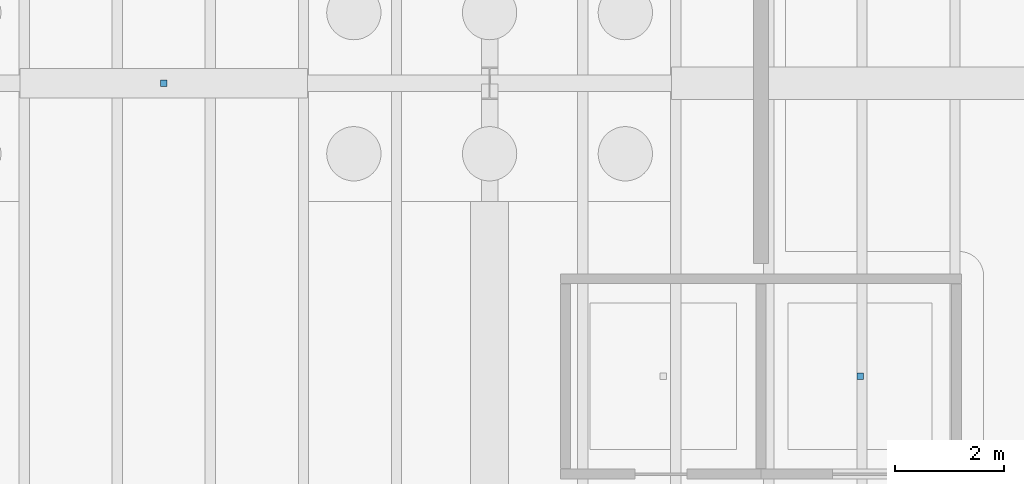
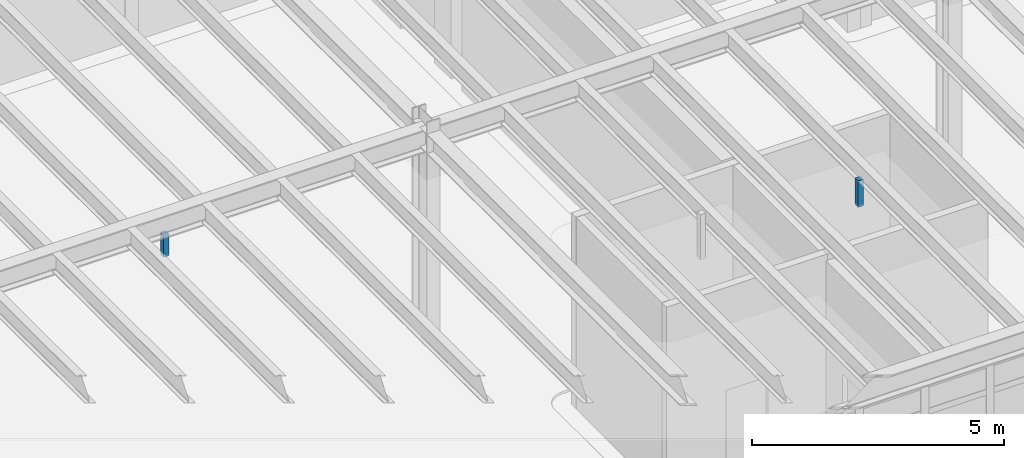
# One storey, part 49 of 67: 2 discrete accessories.
"""IFC4 building model written with IfcOpenShell, lengths in metres."""

from ifc_helpers import new_model, si_unit, direction, frame, origin, origin_2d, place, context, subcontext, project, spatial, rectangle, extrude, material, type_object, element, save


model = new_model("IFC4")

# Units and contexts
model_context = context("Model", 3, precision=1e-05, world=origin(), true_north=direction((0.0, 1.0)))
body_context = subcontext(model_context, "Body", "Model", "MODEL_VIEW")
ifc_project = project(units=[si_unit("LENGTHUNIT", "METRE"), si_unit("AREAUNIT", "SQUARE_METRE"), si_unit("VOLUMEUNIT", "CUBIC_METRE"), si_unit("PLANEANGLEUNIT", "RADIAN"), si_unit("MASSUNIT", "GRAM", prefix="KILO")], contexts=[model_context])

# Site, building, storey
site_placement = place(None, origin())
site = spatial("IfcSite", under=ifc_project, at=site_placement, CompositionType="ELEMENT")
building_placement = place(site_placement, origin())
building = spatial("IfcBuilding", under=site, at=building_placement, Name="Zlatogorsky Bluff Art Gallery", CompositionType="ELEMENT")
storey_placement = place(building_placement, frame((0.0, 0.0, -5.39990234375)))
storey = spatial("IfcBuildingStorey", under=building, at=storey_placement, Name="B1", CompositionType="ELEMENT", Elevation=-5.39990234375)

# Discrete accessories
ifc_material = material(Name="Steel S355", Category="steel")
discrete_accessory_type = type_object("IfcDiscreteAccessoryType", Name="Stainless Facade Fin Bracket BRK-01", PredefinedType="BRACKET", material=ifc_material)
discrete_accessory_1_placement = place(storey_placement, frame((30.824951171875, 90.60009765625, 4.05517578125), z_axis=(0.0, 0.0, 1.0), x_axis=(1.0, 0.0, 0.0)))
element("IfcDiscreteAccessory", 1, at=discrete_accessory_1_placement, inside=storey, type_object=discrete_accessory_type, Name="Acoustic ceiling suspension hanger B1-AWC", PredefinedType="BRACKET", context=body_context, shape_type="SweptSolid", body=[
    extrude(rectangle(XDim=0.1201171875, YDim=0.1201171875, at=origin_2d()), origin(), (0.0, 0.0, 1.0), 0.639892578125),
])
discrete_accessory_2_placement = place(storey_placement, frame((18.0, 96.0, 4.054931640625), z_axis=(0.0, 0.0, 1.0), x_axis=(1.0, 0.0, 0.0)))
element("IfcDiscreteAccessory", 2, at=discrete_accessory_2_placement, inside=storey, type_object=discrete_accessory_type, Name="Acoustic ceiling suspension hanger B1-S1-12", PredefinedType="BRACKET", context=body_context, shape_type="SweptSolid", body=[
    extrude(rectangle(XDim=0.1201171875, YDim=0.1201171875, at=origin_2d()), origin(), (0.0, 0.0, 1.0), 0.5400390625),
])

save(model, "model.ifc")
